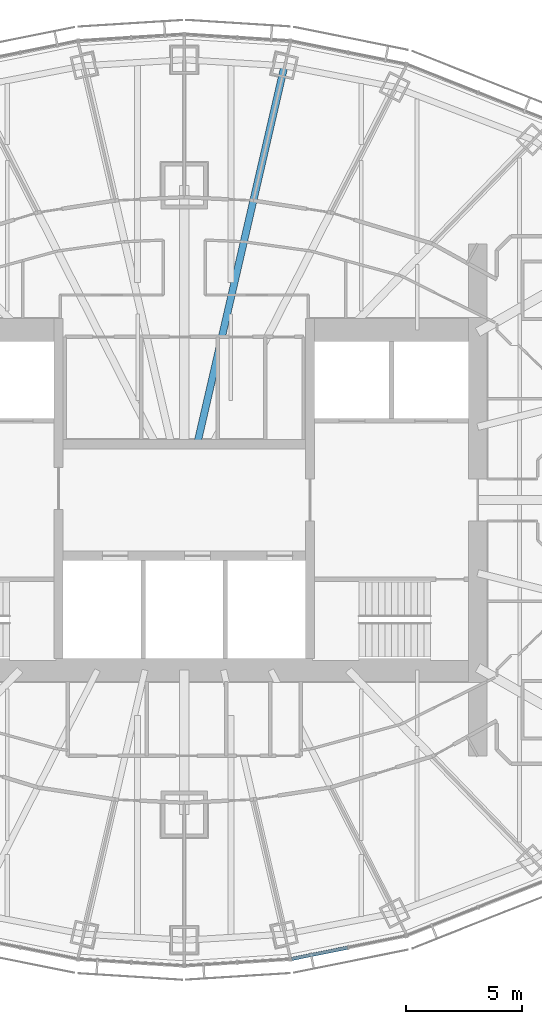
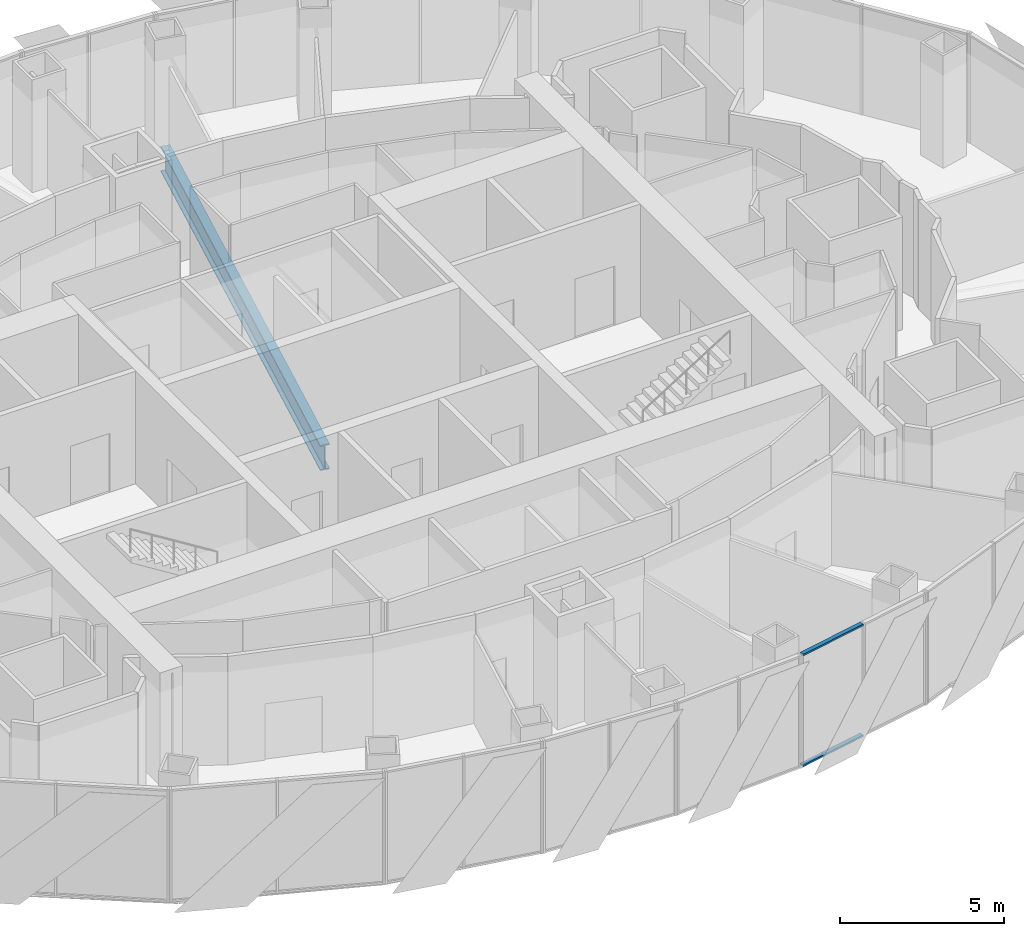
# One storey, part 5 of 19: 2 members, 1 beam, 1 element without a shape of its own.
"""IFC4 building model written with IfcOpenShell, lengths in metres."""

from ifc_helpers import new_model, si_unit, direction, frame, origin, origin_2d, place, context, subcontext, project, spatial, rectangle, i_section, extrude, material, material_profile, profile_set, type_object, element, aggregate, save


model = new_model("IFC4")

# Units and contexts
model_context = context("Model", 3, precision=1e-05, world=origin(), true_north=direction((0.0, 1.0)))
body_context = subcontext(model_context, "Body", "Model", "MODEL_VIEW")
ifc_project = project(units=[si_unit("LENGTHUNIT", "METRE"), si_unit("AREAUNIT", "SQUARE_METRE"), si_unit("VOLUMEUNIT", "CUBIC_METRE"), si_unit("PLANEANGLEUNIT", "RADIAN"), si_unit("MASSUNIT", "GRAM", prefix="KILO")], contexts=[model_context])

# Site, building, storey
site_placement = place(None, origin())
site = spatial("IfcSite", under=ifc_project, at=site_placement, CompositionType="ELEMENT")
building_placement = place(site_placement, origin())
building = spatial("IfcBuilding", under=site, at=building_placement, Name="Lantaw Convention Tower", CompositionType="ELEMENT")
storey_placement = place(building_placement, frame((0.0, 0.0, 249.39990234375)))
storey = spatial("IfcBuildingStorey", under=building, at=storey_placement, Name="L58", CompositionType="ELEMENT", Elevation=249.39990234375)

# Beam
ifc_material_1 = material(Name="Steel ASTM A992", Category="steel")
ifc_material_profile_1 = material_profile(ifc_material_1, i_section(OverallWidth=0.307373046875, OverallDepth=0.9423828125, WebThickness=0.022216796875, FlangeThickness=0.039794921875, FilletRadius=0.0126953125, at=origin_2d()), Name="W36X232")
ifc_profile_set_1 = profile_set([ifc_material_profile_1], Name="Steel ASTM A992")
beam_type = type_object("IfcBeamType", Name="Beam G W36X232", PredefinedType="BEAM", material=ifc_profile_set_1)
beam_placement = place(storey_placement, frame((0.55419921875, 2.39990234375, -0.62109375), z_axis=(0.224948287002, 0.974370703672, 0.0), x_axis=(-0.974370703672, 0.224948287002, 0.0)))
element("IfcBeam", 1, at=beam_placement, inside=storey, type_object=beam_type, Name="Floor girder on ray 6", PredefinedType="BEAM", context=body_context, shape_type="SweptSolid", body=[
    extrude(i_section(OverallWidth=0.307373046875, OverallDepth=0.9423828125, WebThickness=0.022216796875, FlangeThickness=0.039794921875, FilletRadius=0.0126953125, at=origin_2d()), origin(), (0.0, 0.0, 1.0), 16.66943359375),
])

# Curtain wall, members
ifc_material_2 = material(Name="Aluminium framed curtain wall", Category="aluminium")
curtain_wall_type = type_object("IfcCurtainWallType", Name="Office curtain wall high rise, pale aluminium", PredefinedType="USERDEFINED", material=ifc_material_2)
curtain_wall_placement = place(storey_placement, origin())
curtain_wall = element("IfcCurtainWall", 2, at=curtain_wall_placement, inside=storey, type_object=curtain_wall_type, Name="Office curtain wall high rise, pale aluminium L58", ObjectType="UNITISED CURTAIN WALL", PredefinedType="USERDEFINED")
ifc_material_3 = material(Name="Aluminium 6063-T6", Category="aluminium")
ifc_material_profile_2 = material_profile(ifc_material_3, rectangle(XDim=0.14990234375, YDim=0.06494140625, at=origin_2d()), Name="CW-O2 transom 65x150")
ifc_profile_set_2 = profile_set([ifc_material_profile_2], Name="Aluminium 6063-T6")
member_type = type_object("IfcMemberType", Name="CW-O2 transom 65x150", PredefinedType="USERDEFINED", material=ifc_profile_set_2)
member_1_placement = place(storey_placement, frame((4.614990234375, -19.700927734375, -0.117431640625), z_axis=(0.980380354178, 0.197115096178, 0.0), x_axis=(-0.197115096178, 0.980380354178, 0.0)))
member_1 = element("IfcMember", 3, at=member_1_placement, type_object=member_type, Name="CW-O2 transom 1.1", ObjectType="TRANSOM", PredefinedType="USERDEFINED", context=body_context, shape_type="SweptSolid", body=[
    extrude(rectangle(XDim=0.14990234375, YDim=0.06494140625, at=origin_2d()), origin(), (0.0, 0.0, 1.0), 2.443603515625),
])
member_2_placement = place(storey_placement, frame((4.614990234375, -19.700927734375, 4.017578125), z_axis=(0.980380354178, 0.197115096178, 0.0), x_axis=(-0.197115096178, 0.980380354178, 0.0)))
member_2 = element("IfcMember", 4, at=member_2_placement, type_object=member_type, Name="CW-O2 transom 1.2", ObjectType="TRANSOM", PredefinedType="USERDEFINED", context=body_context, shape_type="SweptSolid", body=[
    extrude(rectangle(XDim=0.14990234375, YDim=0.06494140625, at=origin_2d()), origin(), (0.0, 0.0, 1.0), 2.443603515625),
])
aggregate(curtain_wall, [member_1, member_2])

save(model, "model.ifc")
